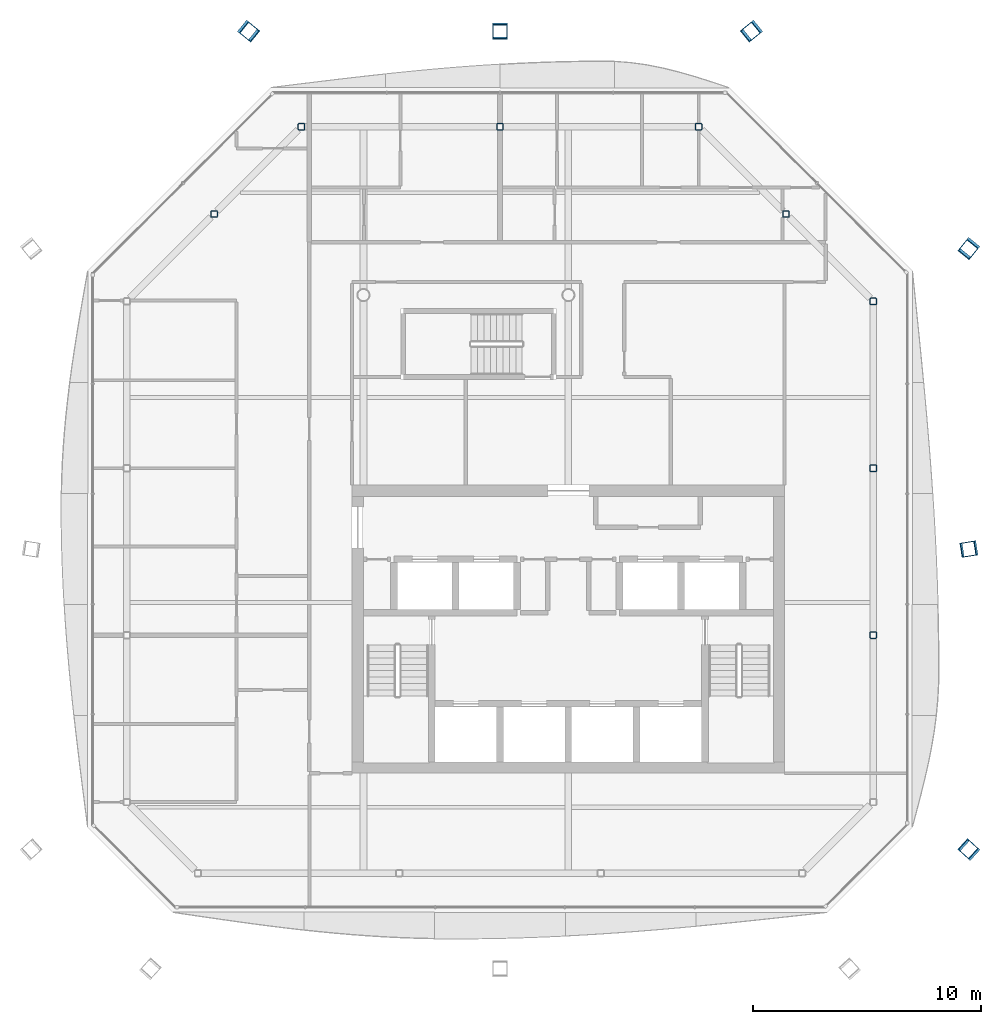
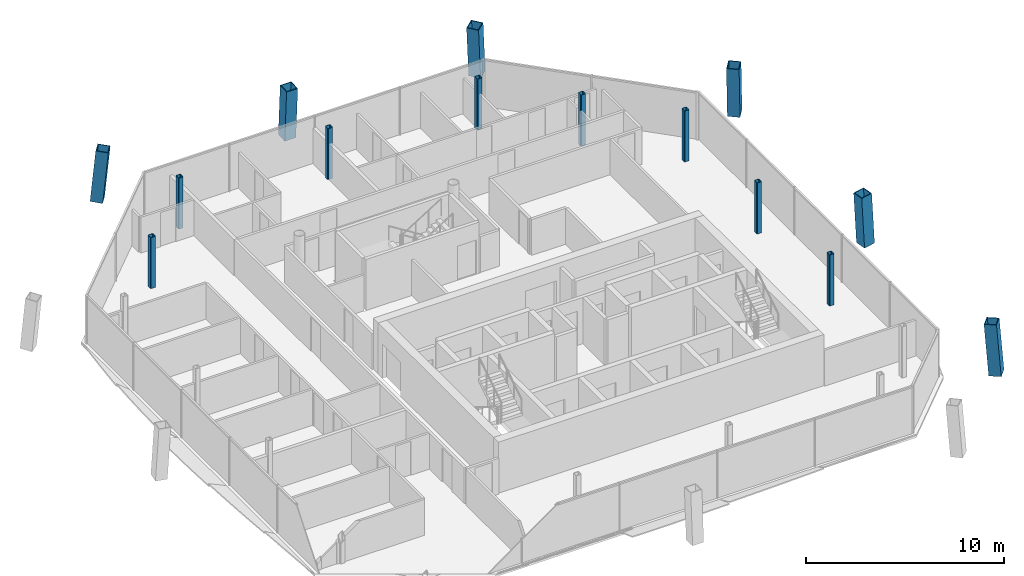
# One storey, part 2 of 15: 14 columns.
"""IFC4 building model written with IfcOpenShell, lengths in metres."""

from ifc_helpers import new_model, si_unit, direction, frame, origin, origin_2d, place, context, subcontext, project, spatial, hollow_rectangle, extrude, material, material_profile, profile_set, type_object, element, save


model = new_model("IFC4")

# Units and contexts
model_context = context("Model", 3, precision=1e-05, world=origin(), true_north=direction((0.0, 1.0)))
body_context = subcontext(model_context, "Body", "Model", "MODEL_VIEW")
ifc_project = project(units=[si_unit("LENGTHUNIT", "METRE"), si_unit("AREAUNIT", "SQUARE_METRE"), si_unit("VOLUMEUNIT", "CUBIC_METRE"), si_unit("PLANEANGLEUNIT", "RADIAN"), si_unit("MASSUNIT", "GRAM", prefix="KILO")], contexts=[model_context])

# Site, building, storey
site_placement = place(None, origin())
site = spatial("IfcSite", under=ifc_project, at=site_placement, CompositionType="ELEMENT")
building_placement = place(site_placement, origin())
building = spatial("IfcBuilding", under=site, at=building_placement, Name="Tskaro Facet Tower", CompositionType="ELEMENT")
storey_placement = place(building_placement, frame((0.0, 0.0, 242.39990234375)))
storey = spatial("IfcBuildingStorey", under=building, at=storey_placement, Name="L63", CompositionType="ELEMENT", Elevation=242.39990234375)

# Columns
ifc_material_1 = material(Name="Steel S355J2", Category="steel")
ifc_material_profile_1 = material_profile(ifc_material_1, hollow_rectangle(XDim=0.64990234375, YDim=0.64990234375, WallThickness=0.0400390625, at=origin_2d()), Name="BOX 650x650x40")
ifc_profile_set_1 = profile_set([ifc_material_profile_1], Name="Steel S355J2")
column_type_1 = type_object("IfcColumnType", Name="BOX 650x650x40 mega column", PredefinedType="COLUMN", material=ifc_profile_set_1)
column_1_placement = place(storey_placement, frame((17.6240234375, -15.385986328125, 0.0), z_axis=(-0.057946982858, 0.052847648367, 0.996919893091), x_axis=(-0.673848784787, -0.738869281565, 0.0)))
element("IfcColumn", 1, at=column_1_placement, inside=storey, type_object=column_type_1, Name="BOX 650x650x40 MC04/5", PredefinedType="COLUMN", context=body_context, shape_type="SweptSolid", body=[
    extrude(hollow_rectangle(XDim=0.64990234375, YDim=0.64990234375, WallThickness=0.0400390625, at=origin_2d()), origin(), (0.0, 0.0, 1.0), 3.159912109375),
])
column_2_placement = place(storey_placement, frame((17.6240234375, -2.152099609375, 0.0), z_axis=(-0.058025653824, -0.009129369535, 0.998273348392), x_axis=(0.155421458417, -0.98784825265, 0.0)))
element("IfcColumn", 2, at=column_2_placement, inside=storey, type_object=column_type_1, Name="BOX 650x650x40 MC05/5", PredefinedType="COLUMN", context=body_context, shape_type="SweptSolid", body=[
    extrude(hollow_rectangle(XDim=0.64990234375, YDim=0.64990234375, WallThickness=0.0400390625, at=origin_2d()), origin(), (0.0, 0.0, 1.0), 3.155517578125),
])
for number, where, z_axis, x_axis, name in (
    (3, (17.6240234375, 11.08203125, 0.0), (-0.057879712392, -0.071462151567, 0.995762571995), (0.777088504756, -0.629391337545, 0.0), "BOX 650x650x40 MC06/5"),
    (4, (8.08203125, 20.6240234375, 0.0), (-0.071462151567, -0.057879712392, 0.995762571995), (0.629391337545, -0.777088504756, 0.0), "BOX 650x650x40 MC07/5"),
):
    element("IfcColumn", number, at=place(storey_placement, frame(where, z_axis=z_axis, x_axis=x_axis)), inside=storey, type_object=column_type_1, Name=name, PredefinedType="COLUMN", context=body_context, shape_type="SweptSolid", body=[
        extrude(hollow_rectangle(XDim=0.64990234375, YDim=0.64990234375, WallThickness=0.0400390625, at=origin_2d()), origin(), (0.0, 0.0, 1.0), 3.16357421875),
    ])
column_3_placement = place(storey_placement, frame((-3.0, 20.6240234375, 0.0), z_axis=(0.0, -0.058028072061, 0.998314951733), x_axis=(1.0, 0.0, 0.0)))
element("IfcColumn", 5, at=column_3_placement, inside=storey, type_object=column_type_1, Name="BOX 650x650x40 MC08/5", PredefinedType="COLUMN", context=body_context, shape_type="SweptSolid", body=[
    extrude(hollow_rectangle(XDim=0.64990234375, YDim=0.64990234375, WallThickness=0.0400390625, at=origin_2d()), origin(), (0.0, 0.0, 1.0), 3.155517578125),
])
column_4_placement = place(storey_placement, frame((-14.08203125, 20.6240234375, 0.0), z_axis=(0.071462151567, -0.057879712392, 0.995762571995), x_axis=(0.629391337545, 0.777088504756, 0.0)))
element("IfcColumn", 6, at=column_4_placement, inside=storey, type_object=column_type_1, Name="BOX 650x650x40 MC09/5", PredefinedType="COLUMN", context=body_context, shape_type="SweptSolid", body=[
    extrude(hollow_rectangle(XDim=0.64990234375, YDim=0.64990234375, WallThickness=0.0400390625, at=origin_2d()), origin(), (0.0, 0.0, 1.0), 3.16357421875),
])
ifc_material_2 = material(Name="Steel S355J2H", Category="steel")
ifc_material_profile_2 = material_profile(ifc_material_2, hollow_rectangle(XDim=0.300048828125, YDim=0.300048828125, WallThickness=0.02001953125, InnerFilletRadius=0.030029296875, OuterFilletRadius=0.050048828125, at=origin_2d()), Name="SHS 300x300x20")
ifc_profile_set_2 = profile_set([ifc_material_profile_2], Name="Steel S355J2H")
column_type_2 = type_object("IfcColumnType", Name="SHS 300x300x20 ring column", PredefinedType="COLUMN", material=ifc_profile_set_2)
for number, where, z_axis, x_axis, name in (
    (7, (13.39111328125, -5.93701171875, 0.0), (0.0, 0.0, 1.0), (1.0, 0.0, 0.0), "SHS 300x300x20 RE-2/5"),
    (8, (13.39111328125, 1.39404296875, 0.0), (0.0, 0.0, 1.0), (1.0, 0.0, 0.0), "SHS 300x300x20 RE-3/5"),
    (9, (13.39111328125, 8.72509765625, 0.0), (0.0, 0.0, 1.0), (1.0, 0.0, 0.0), "SHS 300x300x20 RNE-1/5"),
    (10, (9.55810546875, 12.55810546875, 0.0), (0.0, 0.0, 1.0), (1.0, 0.0, 0.0), "SHS 300x300x20 RNE-2/5"),
    (11, (5.72509765625, 16.39111328125, 0.0), (0.0, 0.0, 1.0), (1.0, 0.0, 0.0), "SHS 300x300x20 RN-1/5"),
    (12, (-3.0, 16.39111328125, 0.0), (0.0, 0.0, 1.0), (1.0, 0.0, 0.0), "SHS 300x300x20 RN-2/5"),
    (13, (-11.72509765625, 16.39111328125, 0.0), (0.0, 0.0, 1.0), (1.0, 0.0, 0.0), "SHS 300x300x20 RNW-1/5"),
    (14, (-15.55810546875, 12.55810546875, 0.0), (0.0, 0.0, 1.0), (1.0, 0.0, 0.0), "SHS 300x300x20 RNW-2/5"),
):
    element("IfcColumn", number, at=place(storey_placement, frame(where, z_axis=z_axis, x_axis=x_axis)), inside=storey, type_object=column_type_2, Name=name, PredefinedType="COLUMN", context=body_context, shape_type="SweptSolid", body=[
        extrude(hollow_rectangle(XDim=0.300048828125, YDim=0.300048828125, WallThickness=0.02001953125, InnerFilletRadius=0.030029296875, OuterFilletRadius=0.050048828125, at=origin_2d()), origin(), (0.0, 0.0, 1.0), 3.150146484375),
    ])

save(model, "model.ifc")
